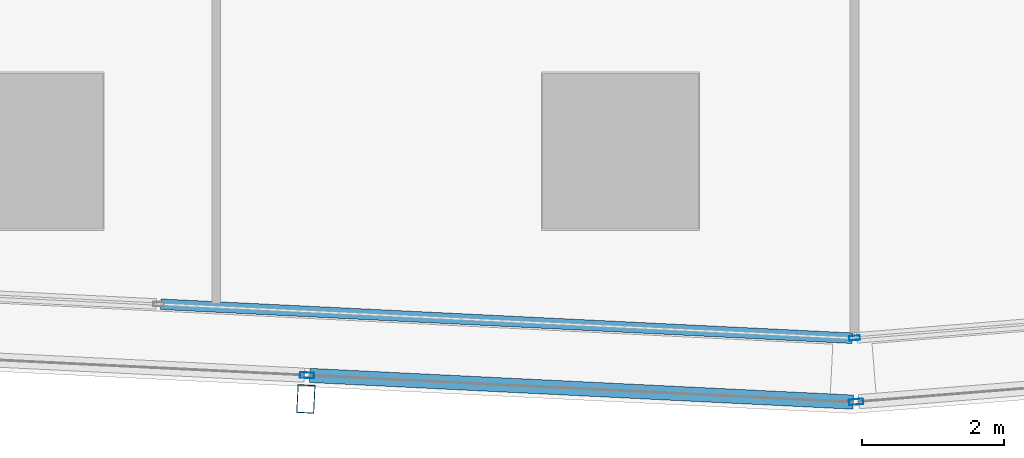
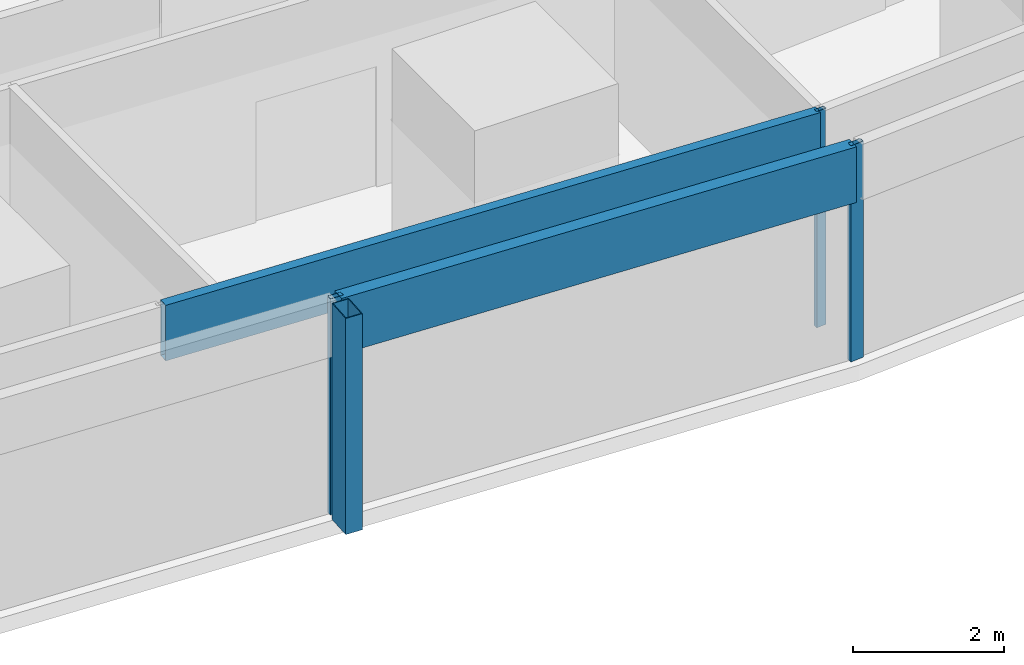
# One storey, part 9 of 44: 6 members, 4 elements without a shape of their own.
"""IFC4 building model written with IfcOpenShell, lengths in metres."""

from ifc_helpers import new_model, si_unit, direction, frame, origin, origin_2d, place, context, subcontext, project, spatial, hollow_rectangle, extrude, material, material_profile, profile_set, type_object, element, aggregate, save


model = new_model("IFC4")

# Units and contexts
model_context = context("Model", 3, precision=1e-05, world=origin(), true_north=direction((0.0, 1.0)))
body_context = subcontext(model_context, "Body", "Model", "MODEL_VIEW")
ifc_project = project(units=[si_unit("LENGTHUNIT", "METRE"), si_unit("AREAUNIT", "SQUARE_METRE"), si_unit("VOLUMEUNIT", "CUBIC_METRE"), si_unit("PLANEANGLEUNIT", "RADIAN"), si_unit("MASSUNIT", "GRAM", prefix="KILO")], contexts=[model_context])

# Site, building, storey
site_placement = place(None, origin())
site = spatial("IfcSite", under=ifc_project, at=site_placement, CompositionType="ELEMENT")
building_placement = place(site_placement, origin())
building = spatial("IfcBuilding", under=site, at=building_placement, Name="Rekha Terrace Tower", CompositionType="ELEMENT")
storey_placement = place(building_placement, frame((0.0, 0.0, 66.64990234375)))
storey = spatial("IfcBuildingStorey", under=building, at=storey_placement, Name="L16", CompositionType="ELEMENT", Elevation=66.64990234375)

# Curtain wall, member
ifc_material_1 = material(Name="Aluminium framing", Category="aluminium")
curtain_wall_type_1 = type_object("IfcCurtainWallType", Name="CW2 double skin outer glazing", PredefinedType="USERDEFINED", material=ifc_material_1)
curtain_wall_1_placement = place(storey_placement, origin())
curtain_wall_1 = element("IfcCurtainWall", 1, at=curtain_wall_1_placement, inside=storey, type_object=curtain_wall_type_1, Name="CW2 double skin outer glazing", ObjectType="DOUBLE SKIN OUTER GLAZING", PredefinedType="USERDEFINED")
ifc_material_2 = material(Name="Steel S355 with fluorocarbon finish", Category="steel")
ifc_material_profile_1 = material_profile(ifc_material_2, hollow_rectangle(XDim=0.25, YDim=0.39990234375, WallThickness=0.012451171875, at=origin_2d()), Name="RHS400x250x12.5")
ifc_profile_set_1 = profile_set([ifc_material_profile_1], Name="Steel S355 with fluorocarbon finish")
member_type_1 = type_object("IfcMemberType", Name="BL1 facade blade RHS 400 x 250", PredefinedType="USERDEFINED", material=ifc_profile_set_1)
member_1_placement = place(storey_placement, frame((37.562744140625, 4.904296875, 0.0), z_axis=(0.0, 0.0, 1.0), x_axis=(0.998796226835, -0.049051985279, 0.0)))
member_1 = element("IfcMember", 2, at=member_1_placement, type_object=member_type_1, Name="Facade blade", ObjectType="FACADE BLADE", PredefinedType="USERDEFINED", context=body_context, shape_type="SweptSolid", body=[
    extrude(hollow_rectangle(XDim=0.25, YDim=0.39990234375, WallThickness=0.012451171875, at=origin_2d()), origin(), (0.0, 0.0, 1.0), 3.5),
])

curtain_wall_type_2 = type_object("IfcCurtainWallType", Name="CW1 double skin inner glazing", PredefinedType="USERDEFINED", material=ifc_material_1)
curtain_wall_2_placement = place(storey_placement, origin())
curtain_wall_2 = element("IfcCurtainWall", 3, at=curtain_wall_2_placement, inside=storey, type_object=curtain_wall_type_2, Name="CW1 double skin inner glazing", ObjectType="DOUBLE SKIN INNER GLAZING", PredefinedType="USERDEFINED")
ifc_material_3 = material(Name="Aluminium mullion section", Category="aluminium")
ifc_material_profile_2 = material_profile(ifc_material_3, hollow_rectangle(XDim=0.06494140625, YDim=0.14990234375, WallThickness=0.00390625, at=origin_2d()), Name="AL RHS 65x150")
ifc_profile_set_2 = profile_set([ifc_material_profile_2], Name="Aluminium mullion section")
member_type_2 = type_object("IfcMemberType", Name="CW1 mullion RHS 65 x 150", PredefinedType="MULLION", material=ifc_profile_set_2)
member_2_placement = place(storey_placement, frame((45.303955078125, 5.7646484375, 0.0), z_axis=(0.0, 0.0, 1.0), x_axis=(-0.079872204468, 0.996805111821, 0.0)))
member_2 = element("IfcMember", 4, at=member_2_placement, type_object=member_type_2, Name="CW1 mullion 1", PredefinedType="MULLION", context=body_context, shape_type="SweptSolid", body=[
    extrude(hollow_rectangle(XDim=0.06494140625, YDim=0.14990234375, WallThickness=0.00390625, at=origin_2d()), origin(), (0.0, 0.0, 1.0), 3.5),
])
aggregate(curtain_wall_2, [member_2])

curtain_wall_3_placement = place(storey_placement, origin())
curtain_wall_3 = element("IfcCurtainWall", 5, at=curtain_wall_3_placement, inside=storey, type_object=curtain_wall_type_2, Name="CW1 double skin inner glazing", ObjectType="DOUBLE SKIN INNER GLAZING", PredefinedType="USERDEFINED")
ifc_material_4 = material(Name="Insulated aluminium spandrel box", Category="aluminium")
ifc_material_profile_3 = material_profile(ifc_material_4, hollow_rectangle(XDim=0.14990234375, YDim=0.89990234375, WallThickness=0.0029296875, at=origin_2d()), Name="AL SPANDREL BOX 150x900")
ifc_profile_set_3 = profile_set([ifc_material_profile_3], Name="Insulated aluminium spandrel box")
member_type_3 = type_object("IfcMemberType", Name="CW1 spandrel transom 150 x 900", PredefinedType="USERDEFINED", material=ifc_profile_set_3)
member_3_placement = place(storey_placement, frame((35.516357421875, 6.2412109375, 3.050048828125), z_axis=(0.998795409084, -0.049068633482, 0.0), x_axis=(0.049068633482, 0.998795409084, 0.0)))
member_3 = element("IfcMember", 6, at=member_3_placement, type_object=member_type_3, Name="CW1 spandrel transom 3", ObjectType="TRANSOM", PredefinedType="USERDEFINED", context=body_context, shape_type="SweptSolid", body=[
    extrude(hollow_rectangle(XDim=0.14990234375, YDim=0.89990234375, WallThickness=0.0029296875, at=origin_2d()), origin(), (0.0, 0.0, 1.0), 9.766845703125),
])
aggregate(curtain_wall_3, [member_3])

# Member
ifc_material_profile_4 = material_profile(ifc_material_3, hollow_rectangle(XDim=0.080078125, YDim=0.199951171875, WallThickness=0.00390625, at=origin_2d()), Name="AL RHS 80x200")
ifc_profile_set_4 = profile_set([ifc_material_profile_4], Name="Aluminium mullion section")
member_type_4 = type_object("IfcMemberType", Name="CW2 mullion RHS 80 x 200", PredefinedType="MULLION", material=ifc_profile_set_4)
member_4_placement = place(storey_placement, frame((37.5791015625, 5.23876953125, 0.0), z_axis=(0.0, 0.0, 1.0), x_axis=(0.049051717746, 0.998796239974, 0.0)))
member_4 = element("IfcMember", 7, at=member_4_placement, type_object=member_type_4, Name="CW2 mullion 5", PredefinedType="MULLION", context=body_context, shape_type="SweptSolid", body=[
    extrude(hollow_rectangle(XDim=0.080078125, YDim=0.199951171875, WallThickness=0.00390625, at=origin_2d()), origin(), (0.0, 0.0, 1.0), 3.5),
])

# Curtain wall, member
curtain_wall_4_placement = place(storey_placement, origin())
curtain_wall_4 = element("IfcCurtainWall", 8, at=curtain_wall_4_placement, inside=storey, type_object=curtain_wall_type_1, Name="CW2 double skin outer glazing", ObjectType="DOUBLE SKIN OUTER GLAZING", PredefinedType="USERDEFINED")
member_5_placement = place(storey_placement, frame((45.325439453125, 4.863525390625, 0.0), z_axis=(0.0, 0.0, 1.0), x_axis=(-0.079872204468, 0.996805111821, 0.0)))
member_5 = element("IfcMember", 9, at=member_5_placement, type_object=member_type_4, Name="CW2 mullion 1", PredefinedType="MULLION", context=body_context, shape_type="SweptSolid", body=[
    extrude(hollow_rectangle(XDim=0.080078125, YDim=0.199951171875, WallThickness=0.00390625, at=origin_2d()), origin(), (0.0, 0.0, 1.0), 3.5),
])
aggregate(curtain_wall_4, [member_5])

# Member
ifc_material_profile_5 = material_profile(ifc_material_4, hollow_rectangle(XDim=0.199951171875, YDim=0.89990234375, WallThickness=0.0029296875, at=origin_2d()), Name="AL SPANDREL BOX 200x900")
ifc_profile_set_5 = profile_set([ifc_material_profile_5], Name="Insulated aluminium spandrel box")
member_type_5 = type_object("IfcMemberType", Name="CW2 spandrel transom 200 x 900", PredefinedType="USERDEFINED", material=ifc_profile_set_5)
member_6_placement = place(storey_placement, frame((37.619140625, 5.23681640625, 3.050048828125), z_axis=(0.998796518042, -0.049046055373, 0.0), x_axis=(0.049046055373, 0.998796518042, 0.0)))
member_6 = element("IfcMember", 10, at=member_6_placement, type_object=member_type_5, Name="CW2 spandrel transom 5", ObjectType="TRANSOM", PredefinedType="USERDEFINED", context=body_context, shape_type="SweptSolid", body=[
    extrude(hollow_rectangle(XDim=0.199951171875, YDim=0.89990234375, WallThickness=0.0029296875, at=origin_2d()), origin(), (0.0, 0.0, 1.0), 7.67578125),
])

aggregate(curtain_wall_1, [member_4, member_6, member_1])

save(model, "model.ifc")
